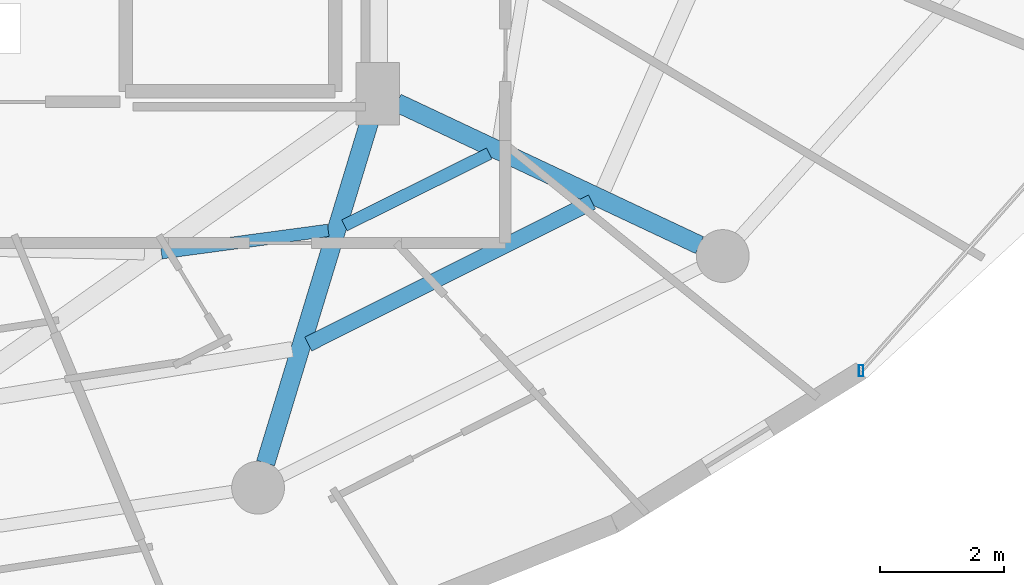
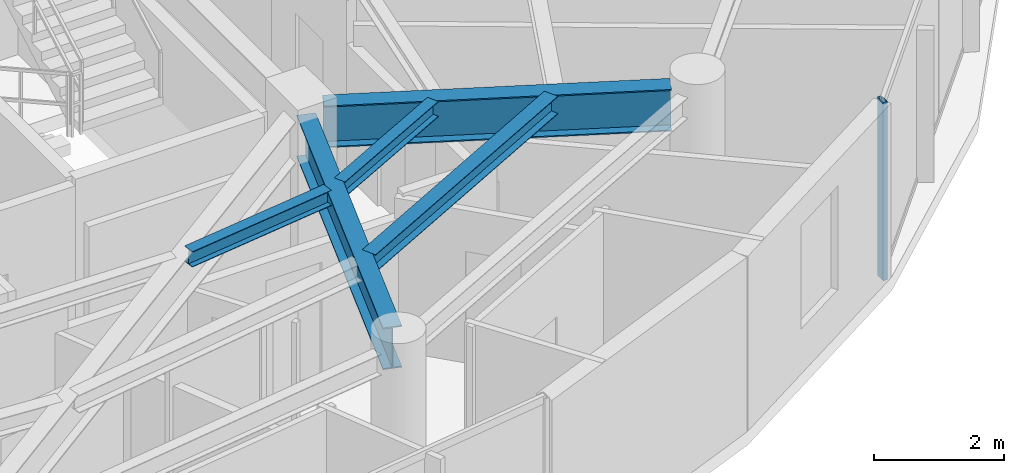
# One storey, part 12 of 32: 5 beams, 1 member, 1 element without a shape of its own.
"""IFC4 building model written with IfcOpenShell, lengths in metres."""

from ifc_helpers import new_model, si_unit, direction, frame, origin, origin_2d, place, context, subcontext, project, spatial, hollow_rectangle, i_section, extrude, material, material_profile, profile_set, type_object, element, aggregate, save


model = new_model("IFC4")

# Units and contexts
model_context = context("Model", 3, precision=1e-05, world=origin(), true_north=direction((0.0, 1.0)))
body_context = subcontext(model_context, "Body", "Model", "MODEL_VIEW")
ifc_project = project(units=[si_unit("LENGTHUNIT", "METRE"), si_unit("AREAUNIT", "SQUARE_METRE"), si_unit("VOLUMEUNIT", "CUBIC_METRE"), si_unit("PLANEANGLEUNIT", "RADIAN"), si_unit("MASSUNIT", "GRAM", prefix="KILO")], contexts=[model_context])

# Site, building, storey
site_placement = place(None, origin())
site = spatial("IfcSite", under=ifc_project, at=site_placement, CompositionType="ELEMENT")
building_placement = place(site_placement, origin())
building = spatial("IfcBuilding", under=site, at=building_placement, Name="Vorneva Point Tower", CompositionType="ELEMENT")
storey_placement = place(building_placement, frame((0.0, 0.0, 269.75)))
storey = spatial("IfcBuildingStorey", under=building, at=storey_placement, Name="L73", CompositionType="ELEMENT", Elevation=269.75)

# Beams
ifc_material_1 = material(Name="Steel S355", Category="steel")
ifc_material_profile_1 = material_profile(ifc_material_1, i_section(OverallWidth=0.300048828125, OverallDepth=0.7880859375, WebThickness=0.014404296875, FlangeThickness=0.02197265625, at=origin_2d()), Name="80Sh1")
ifc_profile_set_1 = profile_set([ifc_material_profile_1], Name="Steel S355")
beam_type_1 = type_object("IfcBeamType", Name="BM-GRD-80Sh1", PredefinedType="USERDEFINED", material=ifc_profile_set_1)
beam_1_placement = place(storey_placement, frame((46.941162109375, 10.50439453125, 2.89599609375), z_axis=(0.291032624293, 0.956713129207, 0.0), x_axis=(-0.956713129207, 0.291032624293, 0.0)))
element("IfcBeam", 1, at=beam_1_placement, inside=storey, type_object=beam_type_1, Name="L73 Radial Primary Girder 14", ObjectType="GIRDER", PredefinedType="USERDEFINED", context=body_context, shape_type="SweptSolid", body=[
    extrude(i_section(OverallWidth=0.300048828125, OverallDepth=0.7880859375, WebThickness=0.014404296875, FlangeThickness=0.02197265625, at=origin_2d()), origin(), (0.0, 0.0, 1.0), 5.874755859375),
])
beam_2_placement = place(storey_placement, frame((53.925048828125, 14.013671875, 2.89599609375), z_axis=(-0.904750812805, 0.425941271455, 0.0), x_axis=(-0.425941271455, -0.904750812805, 0.0)))
element("IfcBeam", 2, at=beam_2_placement, inside=storey, type_object=beam_type_1, Name="L73 Radial Primary Girder 15", ObjectType="GIRDER", PredefinedType="USERDEFINED", context=body_context, shape_type="SweptSolid", body=[
    extrude(i_section(OverallWidth=0.300048828125, OverallDepth=0.7880859375, WebThickness=0.014404296875, FlangeThickness=0.02197265625, at=origin_2d()), origin(), (0.0, 0.0, 1.0), 5.3798828125),
])
ifc_material_profile_2 = material_profile(ifc_material_1, i_section(OverallWidth=0.199951171875, OverallDepth=0.291015625, WebThickness=0.008056640625, FlangeThickness=0.010986328125, at=origin_2d()), Name="30Sh1")
ifc_profile_set_2 = profile_set([ifc_material_profile_2], Name="Steel S355")
beam_type_2 = type_object("IfcBeamType", Name="BM-SEC-30Sh1", PredefinedType="BEAM", material=ifc_profile_set_2)
beam_3_placement = place(storey_placement, frame((45.2646484375, 13.890869140625, 3.14453125), z_axis=(0.991092022882, 0.133178835332, 0.0), x_axis=(-0.133178835332, 0.991092022882, 0.0)))
element("IfcBeam", 3, at=beam_3_placement, inside=storey, type_object=beam_type_2, Name="L73 Secondary Floor Beam 2.13", PredefinedType="BEAM", context=body_context, shape_type="SweptSolid", body=[
    extrude(i_section(OverallWidth=0.199951171875, OverallDepth=0.291015625, WebThickness=0.008056640625, FlangeThickness=0.010986328125, at=origin_2d()), origin(), (0.0, 0.0, 1.0), 2.70947265625),
])
beam_4_placement = place(storey_placement, frame((48.210205078125, 14.331298828125, 3.14453125), z_axis=(0.895737278739, 0.444583768796, 0.0), x_axis=(-0.444583768796, 0.895737278739, 0.0)))
element("IfcBeam", 4, at=beam_4_placement, inside=storey, type_object=beam_type_2, Name="L73 Secondary Floor Beam 2.14", PredefinedType="BEAM", context=body_context, shape_type="SweptSolid", body=[
    extrude(i_section(OverallWidth=0.199951171875, OverallDepth=0.291015625, WebThickness=0.008056640625, FlangeThickness=0.010986328125, at=origin_2d()), origin(), (0.0, 0.0, 1.0), 2.601318359375),
])
ifc_material_profile_3 = material_profile(ifc_material_1, i_section(OverallWidth=0.2490234375, OverallDepth=0.333984375, WebThickness=0.008056640625, FlangeThickness=0.010986328125, at=origin_2d()), Name="35Sh1")
ifc_profile_set_3 = profile_set([ifc_material_profile_3], Name="Steel S355")
beam_type_3 = type_object("IfcBeamType", Name="BM-SEC-35Sh1", PredefinedType="BEAM", material=ifc_profile_set_3)
beam_5_placement = place(storey_placement, frame((47.62890625, 12.4208984375, 3.123046875), z_axis=(0.894121037804, 0.447825378643, 0.0), x_axis=(-0.447825378643, 0.894121037804, 0.0)))
element("IfcBeam", 5, at=beam_5_placement, inside=storey, type_object=beam_type_3, Name="L73 Secondary Floor Beam 1.14", PredefinedType="BEAM", context=body_context, shape_type="SweptSolid", body=[
    extrude(i_section(OverallWidth=0.2490234375, OverallDepth=0.333984375, WebThickness=0.008056640625, FlangeThickness=0.010986328125, at=origin_2d()), origin(), (0.0, 0.0, 1.0), 5.107177734375),
])

# Curtain wall, member
ifc_material_2 = material(Name="Pale anodised aluminium", Category="aluminium")
curtain_wall_type = type_object("IfcCurtainWallType", Name="CW-RES-SYS", PredefinedType="NOTDEFINED", material=ifc_material_2)
curtain_wall_placement = place(storey_placement, origin())
curtain_wall = element("IfcCurtainWall", 6, at=curtain_wall_placement, inside=storey, type_object=curtain_wall_type, Name="L73 Unitised Curtain Wall CW-L73-R01", PredefinedType="NOTDEFINED")
ifc_material_profile_4 = material_profile(ifc_material_2, hollow_rectangle(XDim=0.074951171875, YDim=0.179931640625, WallThickness=0.00390625, at=origin_2d()), Name="AL-MUL 180x75x4")
ifc_profile_set_4 = profile_set([ifc_material_profile_4], Name="Pale anodised aluminium")
member_type = type_object("IfcMemberType", Name="CW-MUL-180", PredefinedType="MULLION", material=ifc_profile_set_4)
member_placement = place(storey_placement, frame((56.526123046875, 11.9921875, -0.0400390625), z_axis=(0.0, 0.0, 1.0), x_axis=(1.0, 0.0, 0.0)))
member = element("IfcMember", 7, at=member_placement, type_object=member_type, Name="CW-L73-R01 Mullion 01", PredefinedType="MULLION", context=body_context, shape_type="SweptSolid", body=[
    extrude(hollow_rectangle(XDim=0.074951171875, YDim=0.179931640625, WallThickness=0.00390625, at=origin_2d()), origin(), (0.0, 0.0, 1.0), 3.360107421875),
])
aggregate(curtain_wall, [member])

save(model, "model.ifc")
